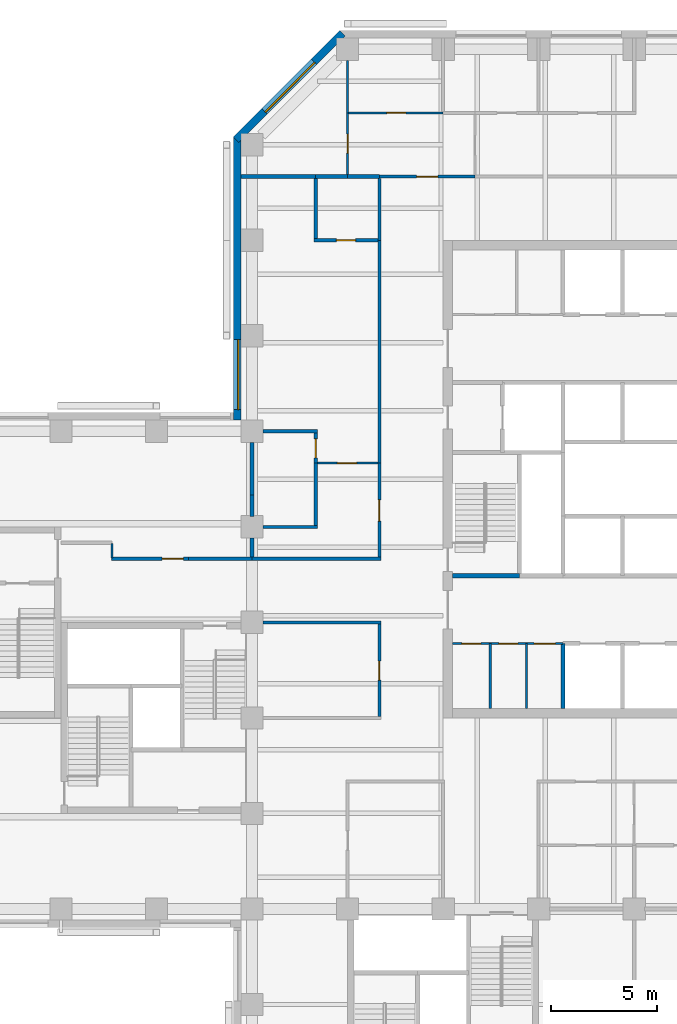
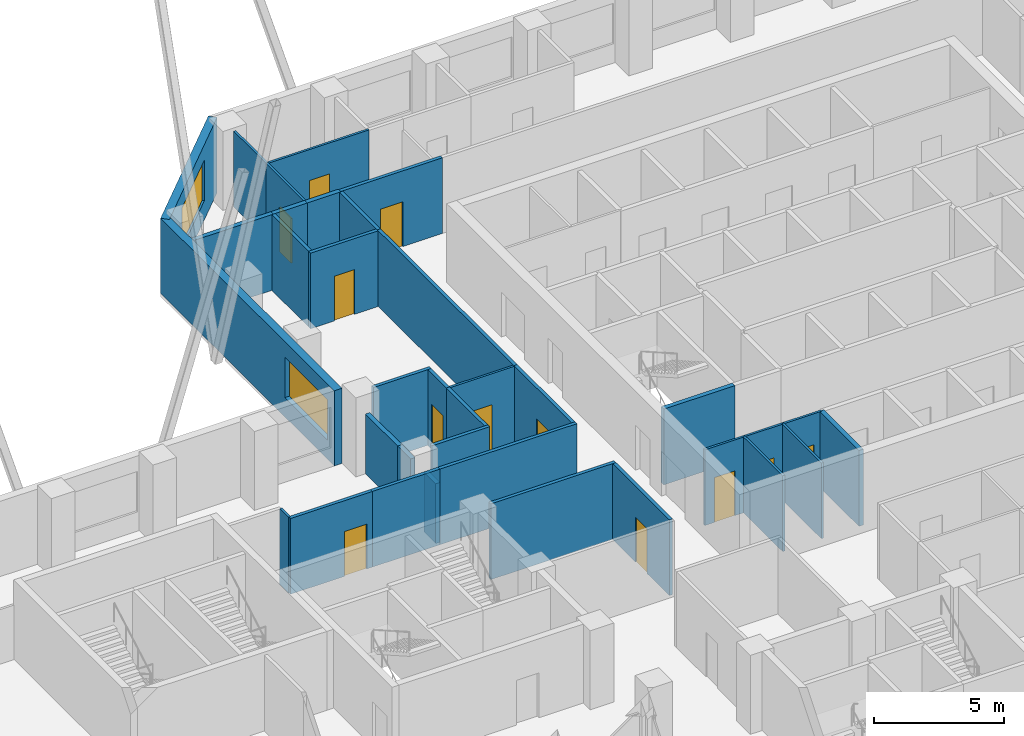
# One storey, part 6 of 11: 33 walls, 12 doors, 2 windows, 14 openings.
"""IFC4 building model written with IfcOpenShell, lengths in metres."""

from ifc_helpers import new_model, si_unit, direction, frame, frame_2d, origin, place, context, subcontext, project, spatial, rectangle, extrude, material, layer, layer_set, constituent, constituent_set, type_object, element, fill, save


model = new_model("IFC4")

# Units and contexts
model_context = context("Model", 3, precision=1e-05, world=origin(), true_north=direction((0.0, 1.0)))
body_context = subcontext(model_context, "Body", "Model", "MODEL_VIEW")
ifc_project = project(units=[si_unit("LENGTHUNIT", "METRE"), si_unit("AREAUNIT", "SQUARE_METRE"), si_unit("VOLUMEUNIT", "CUBIC_METRE"), si_unit("PLANEANGLEUNIT", "RADIAN"), si_unit("MASSUNIT", "GRAM", prefix="KILO")], contexts=[model_context])

# Site, building, storey
site_placement = place(None, origin())
site = spatial("IfcSite", under=ifc_project, at=site_placement, CompositionType="ELEMENT")
building_placement = place(site_placement, origin())
building = spatial("IfcBuilding", under=site, at=building_placement, Name="Quoin Convention Tower", CompositionType="ELEMENT")
storey_placement = place(building_placement, frame((0.0, 0.0, 82.60009765625)))
storey = spatial("IfcBuildingStorey", under=building, at=storey_placement, Name="L21", CompositionType="ELEMENT", Elevation=82.60009765625)

# Walls
ifc_material_1 = material(Name="Plasterboard")
ifc_layer_1 = layer(ifc_material_1, 0.012451171875, Name="Finish")
ifc_material_2 = material(Name="Steel stud framing", Category="steel")
ifc_layer_2 = layer(ifc_material_2, 0.125, Name="Structure")
ifc_layer_3 = layer(ifc_material_1, 0.012451171875, Name="Finish")
ifc_layer_set_1 = layer_set([ifc_layer_1, ifc_layer_2, ifc_layer_3], Name="Steel stud framing")
wall_type_1 = type_object("IfcWallType", Name="Acoustic partition 150", PredefinedType="PARTITIONING", material=ifc_layer_set_1)
for number, where, z_axis, x_axis, name in (
    (1, (36.52490234375, 58.5, 0.0), (0.0, 0.0, 1.0), (1.0, 0.0, 0.0), "pw-L21-041"),
    (2, (36.52490234375, 63.0, 0.0), (0.0, 0.0, 1.0), (1.0, 0.0, 0.0), "pw-L21-048"),
):
    element("IfcWall", number, at=place(storey_placement, frame(where, z_axis=z_axis, x_axis=x_axis)), inside=storey, type_object=wall_type_1, Name=name, PredefinedType="PARTITIONING", context=body_context, shape_type="SweptSolid", body=[
        extrude(rectangle(XDim=2.550048828125, YDim=0.14990234375, at=frame_2d((1.27490234375, 0.0))), origin(), (0.0, 0.0, 1.0), 3.5498046875),
    ])
wall_1_placement = place(storey_placement, frame((39.0, 58.574951171875, 0.0), z_axis=(0.0, 0.0, 1.0), x_axis=(0.0, 1.0, 0.0)))
element("IfcWall", 3, at=wall_1_placement, inside=storey, type_object=wall_type_1, Name="pw-L21-100", PredefinedType="PARTITIONING", context=body_context, shape_type="SweptSolid", body=[
    extrude(rectangle(XDim=2.925048828125, YDim=0.14990234375, at=frame_2d((1.46240234375, 0.0))), origin(), (0.0, 0.0, 1.0), 3.5498046875),
])

# Wall, opening, door
wall_2_placement = place(storey_placement, frame((39.0, 61.5, 0.0), z_axis=(0.0, 0.0, 1.0), x_axis=(0.0, 1.0, 0.0)))
wall_2 = element("IfcWall", 4, at=wall_2_placement, inside=storey, type_object=wall_type_1, Name="pw-L21-107", PredefinedType="PARTITIONING", context=body_context, shape_type="SweptSolid", body=[
    extrude(rectangle(XDim=1.425048828125, YDim=0.14990234375, at=frame_2d((0.71240234375, 0.0))), origin(), (0.0, 0.0, 1.0), 3.5498046875),
])
opening_1_placement = place(wall_2_placement, frame((0.25, 0.0, 0.0)))
opening_1 = element("IfcOpeningElement", 5, at=opening_1_placement, cuts=wall_2, Name="Opening DOL1-31", PredefinedType="OPENING", context=body_context, shape_type="SweptSolid", body=[
    extrude(rectangle(XDim=0.89990234375, YDim=2.10009765625, at=frame_2d((0.449951171875, 1.050048828125))), frame((0.0, 0.0849609375, 0.0), z_axis=(0.0, -1.0, 0.0), x_axis=(1.0, 0.0, 0.0)), (0.0, 0.0, 1.0), 0.169921875),
])
ifc_material_3 = material(Name="Steel door leaf", Category="steel")
door_type_1 = type_object("IfcDoorType", Name="Office door 900 x 2100", OperationType="SINGLE_SWING_RIGHT", PredefinedType="DOOR", material=ifc_material_3)
door_1_placement = place(opening_1_placement, frame((0.89990234375, 0.0, 0.0), z_axis=(0.0, 0.0, 1.0), x_axis=(-1.0, 0.0, 0.0)))
door_1 = element("IfcDoor", 6, at=door_1_placement, inside=storey, type_object=door_type_1, Name="dr-L21-43", OperationType="SINGLE_SWING_RIGHT", OverallHeight=2.10009765625, OverallWidth=0.89990234375, PredefinedType="DOOR", context=body_context, shape_type="SweptSolid", body=[
    extrude(rectangle(XDim=0.89990234375, YDim=2.10009765625, at=frame_2d((0.449951171875, 1.050048828125))), frame((0.0, 0.02490234375, 0.0), z_axis=(0.0, -1.0, 0.0), x_axis=(1.0, 0.0, 0.0)), (0.0, 0.0, 1.0), 0.050048828125),
])
fill(opening_1, door_1)

# Wall, opening, window
ifc_material_4 = material(Name="Brick masonry", Category="masonry")
ifc_layer_4 = layer(ifc_material_4, 0.35009765625)
ifc_layer_set_2 = layer_set([ifc_layer_4], Name="Brick masonry")
wall_type_2 = type_object("IfcWallType", Name="Brick facade wall", PredefinedType="STANDARD", material=ifc_layer_set_2)
wall_3_placement = place(storey_placement, frame((40.26123046875, 81.751220703125, 0.0), z_axis=(0.0, 0.0, 1.0), x_axis=(-0.707106781187, -0.707106781187, 0.0)))
wall_3 = element("IfcWall", 7, at=wall_3_placement, inside=storey, type_object=wall_type_2, Name="fw-L21-40500_81000", PredefinedType="STANDARD", context=body_context, shape_type="SweptSolid", body=[
    extrude(rectangle(XDim=7.088623046875, YDim=0.35009765625, at=frame_2d((3.54443359375, 0.0))), origin(), (0.0, 0.0, 1.0), 3.52490234375),
])
opening_2_placement = place(wall_3_placement, frame((1.894287109375, 0.0, 0.89990234375)))
opening_2 = element("IfcOpeningElement", 8, at=opening_2_placement, cuts=wall_3, Name="Opening W-02", PredefinedType="OPENING", context=body_context, shape_type="SweptSolid", body=[
    extrude(rectangle(XDim=3.300048828125, YDim=1.89990234375, at=frame_2d((1.64990234375, 0.949951171875))), frame((0.0, 0.18505859375, 0.0), z_axis=(0.0, -1.0, 0.0), x_axis=(1.0, 0.0, 0.0)), (0.0, 0.0, 1.0), 0.3701171875),
])
ifc_material_5 = material(Name="Aluminium", Category="aluminium")
ifc_constituent_1 = constituent(ifc_material_5, Name="Frame")
ifc_material_6 = material(Name="Insulated glass", Category="glass")
ifc_constituent_2 = constituent(ifc_material_6, Name="Glazing")
ifc_constituent_set = constituent_set(constituents=[ifc_constituent_1, ifc_constituent_2], Name="Aluminium")
window_type = type_object("IfcWindowType", Name="Office window", PartitioningType="DOUBLE_PANEL_VERTICAL", PredefinedType="WINDOW", material=ifc_constituent_set)
window_1_placement = place(opening_2_placement, origin())
window_1 = element("IfcWindow", 9, at=window_1_placement, inside=storey, type_object=window_type, Name="win-L21-37755_79245", OverallHeight=1.89990234375, OverallWidth=3.300048828125, PartitioningType="SINGLE_PANEL", PredefinedType="WINDOW", context=body_context, shape_type="SweptSolid", body=[
    extrude(rectangle(XDim=3.300048828125, YDim=1.89990234375, at=frame_2d((1.64990234375, 0.949951171875))), frame((0.0, 0.0849609375, 0.0), z_axis=(0.0, -1.0, 0.0), x_axis=(1.0, 0.0, 0.0)), (0.0, 0.0, 1.0), 0.06005859375),
])
fill(opening_2, window_1)

wall_4_placement = place(storey_placement, frame((35.300048828125, 76.8623046875, 0.0), z_axis=(0.0, 0.0, 1.0), x_axis=(0.0, -1.0, 0.0)))
wall_4 = element("IfcWall", 10, at=wall_4_placement, inside=storey, type_object=wall_type_2, Name="fw-L21-36000_76500", PredefinedType="STANDARD", context=body_context, shape_type="SweptSolid", body=[
    extrude(rectangle(XDim=13.33740234375, YDim=0.35009765625, at=frame_2d((6.668701171875, 0.0))), origin(), (0.0, 0.0, 1.0), 3.52490234375),
])
opening_3_placement = place(wall_4_placement, frame((9.537353515625, 0.0, 0.89990234375)))
opening_3 = element("IfcOpeningElement", 11, at=opening_3_placement, cuts=wall_4, Name="Opening W-02", PredefinedType="OPENING", context=body_context, shape_type="SweptSolid", body=[
    extrude(rectangle(XDim=3.300048828125, YDim=1.89990234375, at=frame_2d((1.64990234375, 0.949951171875))), frame((0.0, 0.18505859375, 0.0), z_axis=(0.0, -1.0, 0.0), x_axis=(1.0, 0.0, 0.0)), (0.0, 0.0, 1.0), 0.3701171875),
])
window_2_placement = place(opening_3_placement, origin())
window_2 = element("IfcWindow", 12, at=window_2_placement, inside=storey, type_object=window_type, Name="win-L21-35300_65250", OverallHeight=1.89990234375, OverallWidth=3.300048828125, PartitioningType="SINGLE_PANEL", PredefinedType="WINDOW", context=body_context, shape_type="SweptSolid", body=[
    extrude(rectangle(XDim=3.300048828125, YDim=1.89990234375, at=frame_2d((1.64990234375, 0.949951171875))), frame((0.0, 0.0849609375, 0.0), z_axis=(0.0, -1.0, 0.0), x_axis=(1.0, 0.0, 0.0)), (0.0, 0.0, 1.0), 0.06005859375),
])
fill(opening_3, window_2)

# Wall, openings, doors
ifc_layer_5 = layer(ifc_material_1, 0.012451171875, Name="Finish")
ifc_layer_6 = layer(ifc_material_2, 0.074951171875, Name="Structure")
ifc_layer_7 = layer(ifc_material_1, 0.012451171875, Name="Finish")
ifc_layer_set_3 = layer_set([ifc_layer_5, ifc_layer_6, ifc_layer_7], Name="Steel stud framing")
wall_type_3 = type_object("IfcWallType", Name="Core partition wall", PredefinedType="PARTITIONING", material=ifc_layer_set_3)
wall_5_placement = place(storey_placement, frame((45.449951171875, 53.0, 0.0), z_axis=(0.0, 0.0, 1.0), x_axis=(1.0, 0.0, 0.0)))
wall_5 = element("IfcWall", 13, at=wall_5_placement, inside=storey, type_object=wall_type_3, Name="cr-C1-L21-h3500_450", PredefinedType="PARTITIONING", context=body_context, shape_type="SweptSolid", body=[
    extrude(rectangle(XDim=5.199951171875, YDim=0.10009765625, at=frame_2d((2.60009765625, 0.0))), origin(), (0.0, 0.0, 1.0), 3.5498046875),
])
opening_4_placement = place(wall_5_placement, frame((0.43408203125, 0.0, 0.0)))
opening_4 = element("IfcOpeningElement", 14, at=opening_4_placement, cuts=wall_5, Name="Opening DCV1-37", PredefinedType="OPENING", context=body_context, shape_type="SweptSolid", body=[
    extrude(rectangle(XDim=0.89990234375, YDim=2.10009765625, at=frame_2d((0.449951171875, 1.050048828125))), frame((0.0, 0.06005859375, 0.0), z_axis=(0.0, -1.0, 0.0), x_axis=(1.0, 0.0, 0.0)), (0.0, 0.0, 1.0), 0.1201171875),
])
opening_5_placement = place(wall_5_placement, frame((2.176025390625, 0.0, 0.0)))
opening_5 = element("IfcOpeningElement", 15, at=opening_5_placement, cuts=wall_5, Name="Opening DCV1-38", PredefinedType="OPENING", context=body_context, shape_type="SweptSolid", body=[
    extrude(rectangle(XDim=0.89990234375, YDim=2.10009765625, at=frame_2d((0.449951171875, 1.050048828125))), frame((0.0, 0.06005859375, 0.0), z_axis=(0.0, -1.0, 0.0), x_axis=(1.0, 0.0, 0.0)), (0.0, 0.0, 1.0), 0.1201171875),
])
opening_6_placement = place(wall_5_placement, frame((3.842041015625, 0.0, 0.0)))
opening_6 = element("IfcOpeningElement", 16, at=opening_6_placement, cuts=wall_5, Name="Opening DCV1-39", PredefinedType="OPENING", context=body_context, shape_type="SweptSolid", body=[
    extrude(rectangle(XDim=1.0, YDim=2.10009765625, at=frame_2d((0.5, 1.050048828125))), frame((0.0, 0.06005859375, 0.0), z_axis=(0.0, -1.0, 0.0), x_axis=(1.0, 0.0, 0.0)), (0.0, 0.0, 1.0), 0.1201171875),
])
door_type_2 = type_object("IfcDoorType", Name="Core room door 1000 x 2100", OperationType="SINGLE_SWING_LEFT", PredefinedType="DOOR", material=ifc_material_3)
door_2_placement = place(opening_6_placement, frame((1.0, 0.0, 0.0), z_axis=(0.0, 0.0, 1.0), x_axis=(-1.0, 0.0, 0.0)))
door_2 = element("IfcDoor", 17, at=door_2_placement, inside=storey, type_object=door_type_2, Name="cd-C1-L21-CSW2-lobA-CD2114", OperationType="SINGLE_SWING_LEFT", OverallHeight=2.10009765625, OverallWidth=1.0, PredefinedType="DOOR", context=body_context, shape_type="SweptSolid", body=[
    extrude(rectangle(XDim=1.0, YDim=2.10009765625, at=frame_2d((0.5, 1.050048828125))), frame((0.0, 0.02490234375, 0.0), z_axis=(0.0, -1.0, 0.0), x_axis=(1.0, 0.0, 0.0)), (0.0, 0.0, 1.0), 0.050048828125),
])
fill(opening_6, door_2)
door_type_3 = type_object("IfcDoorType", Name="Core room door 900 x 2100", OperationType="SINGLE_SWING_LEFT", PredefinedType="DOOR", material=ifc_material_3)
door_3_placement = place(opening_4_placement, frame((0.89990234375, 0.0, 0.0), z_axis=(0.0, 0.0, 1.0), x_axis=(-1.0, 0.0, 0.0)))
door_3 = element("IfcDoor", 18, at=door_3_placement, inside=storey, type_object=door_type_3, Name="cd-C1-L21-CSW0-lobA-CD2112", OperationType="SINGLE_SWING_LEFT", OverallHeight=2.10009765625, OverallWidth=0.89990234375, PredefinedType="DOOR", context=body_context, shape_type="SweptSolid", body=[
    extrude(rectangle(XDim=0.89990234375, YDim=2.10009765625, at=frame_2d((0.449951171875, 1.050048828125))), frame((0.0, 0.02490234375, 0.0), z_axis=(0.0, -1.0, 0.0), x_axis=(1.0, 0.0, 0.0)), (0.0, 0.0, 1.0), 0.050048828125),
])
fill(opening_4, door_3)
door_4_placement = place(opening_5_placement, frame((0.89990234375, 0.0, 0.0), z_axis=(0.0, 0.0, 1.0), x_axis=(-1.0, 0.0, 0.0)))
door_4 = element("IfcDoor", 19, at=door_4_placement, inside=storey, type_object=door_type_3, Name="cd-C1-L21-CSW1-lobA-CD2113", OperationType="SINGLE_SWING_LEFT", OverallHeight=2.10009765625, OverallWidth=0.89990234375, PredefinedType="DOOR", context=body_context, shape_type="SweptSolid", body=[
    extrude(rectangle(XDim=0.89990234375, YDim=2.10009765625, at=frame_2d((0.449951171875, 1.050048828125))), frame((0.0, 0.02490234375, 0.0), z_axis=(0.0, -1.0, 0.0), x_axis=(1.0, 0.0, 0.0)), (0.0, 0.0, 1.0), 0.050048828125),
])
fill(opening_5, door_4)

# Walls
for number, where, z_axis, x_axis, name in (
    (20, (47.218017578125, 49.949951171875, 0.0), (0.0, 0.0, 1.0), (0.0, 1.0, 0.0), "cr-C1-L21-v2218_450"),
    (21, (48.93408203125, 49.949951171875, 0.0), (0.0, 0.0, 1.0), (0.0, 1.0, 0.0), "cr-C1-L21-v3934_450"),
):
    element("IfcWall", number, at=place(storey_placement, frame(where, z_axis=z_axis, x_axis=x_axis)), inside=storey, type_object=wall_type_3, Name=name, PredefinedType="PARTITIONING", context=body_context, shape_type="SweptSolid", body=[
        extrude(rectangle(XDim=3.050048828125, YDim=0.10009765625, at=frame_2d((1.52490234375, 0.0))), origin(), (0.0, 0.0, 1.0), 3.5498046875),
    ])
ifc_material_7 = material(Name="Concrete C50", Category="concrete")
ifc_layer_8 = layer(ifc_material_7, 0.199951171875)
ifc_layer_set_4 = layer_set([ifc_layer_8], Name="Concrete C50")
wall_type_4 = type_object("IfcWallType", Name="Core shaft wall", PredefinedType="SOLIDWALL", material=ifc_layer_set_4)
wall_6_placement = place(storey_placement, frame((45.449951171875, 56.199951171875, 0.0), z_axis=(0.0, 0.0, 1.0), x_axis=(1.0, 0.0, 0.0)))
element("IfcWall", 22, at=wall_6_placement, inside=storey, type_object=wall_type_4, Name="cr-C1-L21-h6700_450", PredefinedType="SOLIDWALL", context=body_context, shape_type="SweptSolid", body=[
    extrude(rectangle(XDim=3.150146484375, YDim=0.199951171875, at=frame_2d((1.5751953125, 0.0))), origin(), (0.0, 0.0, 1.0), 3.5498046875),
])
wall_7_placement = place(storey_placement, frame((50.64990234375, 49.949951171875, 0.0), z_axis=(0.0, 0.0, 1.0), x_axis=(0.0, 1.0, 0.0)))
element("IfcWall", 23, at=wall_7_placement, inside=storey, type_object=wall_type_4, Name="cr-C1-L21-v5650_450", PredefinedType="SOLIDWALL", context=body_context, shape_type="SweptSolid", body=[
    extrude(rectangle(XDim=3.050048828125, YDim=0.199951171875, at=frame_2d((1.52490234375, 0.0))), origin(), (0.0, 0.0, 1.0), 3.5498046875),
])
ifc_layer_9 = layer(ifc_material_1, 0.012451171875, Name="Finish")
ifc_layer_10 = layer(ifc_material_2, 0.125, Name="Structure")
ifc_layer_11 = layer(ifc_material_1, 0.012451171875, Name="Finish")
ifc_layer_set_5 = layer_set([ifc_layer_9, ifc_layer_10, ifc_layer_11], Name="Steel stud framing")
wall_type_5 = type_object("IfcWallType", Name="Corridor wall 150", PredefinedType="PARTITIONING", material=ifc_layer_set_5)
wall_8_placement = place(storey_placement, frame((36.52490234375, 54.0, 0.0), z_axis=(0.0, 0.0, 1.0), x_axis=(1.0, 0.0, 0.0)))
element("IfcWall", 24, at=wall_8_placement, inside=storey, type_object=wall_type_5, Name="pw-L21-035", PredefinedType="PARTITIONING", context=body_context, shape_type="SweptSolid", body=[
    extrude(rectangle(XDim=5.550048828125, YDim=0.14990234375, at=frame_2d((2.77490234375, 0.0))), origin(), (0.0, 0.0, 1.0), 3.5498046875),
])

# Wall, opening, door
wall_9_placement = place(storey_placement, frame((29.3798828125, 57.0, 0.0), z_axis=(0.0, 0.0, 1.0), x_axis=(1.0, 0.0, 0.0)))
wall_9 = element("IfcWall", 25, at=wall_9_placement, inside=storey, type_object=wall_type_5, Name="pw-L21-038", PredefinedType="PARTITIONING", context=body_context, shape_type="SweptSolid", body=[
    extrude(rectangle(XDim=3.6201171875, YDim=0.14990234375, at=frame_2d((1.81005859375, 0.0))), origin(), (0.0, 0.0, 1.0), 3.5498046875),
])
opening_7_placement = place(wall_9_placement, frame((2.3798828125, 0.0, 0.0)))
opening_7 = element("IfcOpeningElement", 26, at=opening_7_placement, cuts=wall_9, Name="Opening DOL1-13", PredefinedType="OPENING", context=body_context, shape_type="SweptSolid", body=[
    extrude(rectangle(XDim=1.0, YDim=2.10009765625, at=frame_2d((0.5, 1.050048828125))), frame((0.0, 0.0849609375, 0.0), z_axis=(0.0, -1.0, 0.0), x_axis=(1.0, 0.0, 0.0)), (0.0, 0.0, 1.0), 0.169921875),
])
door_type_4 = type_object("IfcDoorType", Name="Tenancy entrance door 1000 x 2100", OperationType="DOUBLE_DOOR_SINGLE_SWING", PredefinedType="DOOR", material=ifc_material_3)
door_5_placement = place(opening_7_placement, origin())
door_5 = element("IfcDoor", 27, at=door_5_placement, inside=storey, type_object=door_type_4, Name="dr-L21-w01", OperationType="DOUBLE_DOOR_SINGLE_SWING", OverallHeight=2.10009765625, OverallWidth=1.0, PredefinedType="DOOR", context=body_context, shape_type="SweptSolid", body=[
    extrude(rectangle(XDim=1.0, YDim=2.10009765625, at=frame_2d((0.5, 1.050048828125))), frame((0.0, 0.02490234375, 0.0), z_axis=(0.0, -1.0, 0.0), x_axis=(1.0, 0.0, 0.0)), (0.0, 0.0, 1.0), 0.050048828125),
])
fill(opening_7, door_5)

# Walls
wall_10_placement = place(storey_placement, frame((33.0, 57.0, 0.0), z_axis=(0.0, 0.0, 1.0), x_axis=(1.0, 0.0, 0.0)))
element("IfcWall", 28, at=wall_10_placement, inside=storey, type_object=wall_type_5, Name="pw-L21-039", PredefinedType="PARTITIONING", context=body_context, shape_type="SweptSolid", body=[
    extrude(rectangle(XDim=3.0, YDim=0.14990234375, at=frame_2d((1.5, 0.0))), origin(), (0.0, 0.0, 1.0), 3.5498046875),
])
wall_11_placement = place(storey_placement, frame((36.0, 57.0, 0.0), z_axis=(0.0, 0.0, 1.0), x_axis=(1.0, 0.0, 0.0)))
element("IfcWall", 29, at=wall_11_placement, inside=storey, type_object=wall_type_5, Name="pw-L21-040", PredefinedType="PARTITIONING", context=body_context, shape_type="SweptSolid", body=[
    extrude(rectangle(XDim=6.074951171875, YDim=0.14990234375, at=frame_2d((3.03759765625, 0.0))), origin(), (0.0, 0.0, 1.0), 3.5498046875),
])

# Wall, opening, door
wall_12_placement = place(storey_placement, frame((42.0, 75.0, 0.0), z_axis=(0.0, 0.0, 1.0), x_axis=(1.0, 0.0, 0.0)))
wall_12 = element("IfcWall", 30, at=wall_12_placement, inside=storey, type_object=wall_type_5, Name="pw-L21-054", PredefinedType="PARTITIONING", context=body_context, shape_type="SweptSolid", body=[
    extrude(rectangle(XDim=4.5, YDim=0.14990234375, at=frame_2d((2.25, 0.0))), origin(), (0.0, 0.0, 1.0), 3.5498046875),
])
opening_8_placement = place(wall_12_placement, frame((1.75, 0.0, 0.0)))
opening_8 = element("IfcOpeningElement", 31, at=opening_8_placement, cuts=wall_12, Name="Opening DOL1-18", PredefinedType="OPENING", context=body_context, shape_type="SweptSolid", body=[
    extrude(rectangle(XDim=1.0, YDim=2.10009765625, at=frame_2d((0.5, 1.050048828125))), frame((0.0, 0.0849609375, 0.0), z_axis=(0.0, -1.0, 0.0), x_axis=(1.0, 0.0, 0.0)), (0.0, 0.0, 1.0), 0.169921875),
])
door_6_placement = place(opening_8_placement, origin())
door_6 = element("IfcDoor", 32, at=door_6_placement, inside=storey, type_object=door_type_4, Name="dr-L21-33", OperationType="DOUBLE_DOOR_SINGLE_SWING", OverallHeight=2.10009765625, OverallWidth=1.0, PredefinedType="DOOR", context=body_context, shape_type="SweptSolid", body=[
    extrude(rectangle(XDim=1.0, YDim=2.10009765625, at=frame_2d((0.5, 1.050048828125))), frame((0.0, 0.02490234375, 0.0), z_axis=(0.0, -1.0, 0.0), x_axis=(1.0, 0.0, 0.0)), (0.0, 0.0, 1.0), 0.050048828125),
])
fill(opening_8, door_6)

wall_13_placement = place(storey_placement, frame((42.0, 49.574951171875, 0.0), z_axis=(0.0, 0.0, 1.0), x_axis=(0.0, 1.0, 0.0)))
wall_13 = element("IfcWall", 33, at=wall_13_placement, inside=storey, type_object=wall_type_5, Name="pw-L21-090", PredefinedType="PARTITIONING", context=body_context, shape_type="SweptSolid", body=[
    extrude(rectangle(XDim=4.35009765625, YDim=0.14990234375, at=frame_2d((2.175048828125, 0.0))), origin(), (0.0, 0.0, 1.0), 3.5498046875),
])
opening_9_placement = place(wall_13_placement, frame((1.699951171875, 0.0, 0.0)))
opening_9 = element("IfcOpeningElement", 34, at=opening_9_placement, cuts=wall_13, Name="Opening DOL1-28", PredefinedType="OPENING", context=body_context, shape_type="SweptSolid", body=[
    extrude(rectangle(XDim=0.89990234375, YDim=2.10009765625, at=frame_2d((0.449951171875, 1.050048828125))), frame((0.0, 0.0849609375, 0.0), z_axis=(0.0, -1.0, 0.0), x_axis=(1.0, 0.0, 0.0)), (0.0, 0.0, 1.0), 0.169921875),
])
door_7_placement = place(opening_9_placement, origin())
door_7 = element("IfcDoor", 35, at=door_7_placement, inside=storey, type_object=door_type_1, Name="dr-L21-01", OperationType="SINGLE_SWING_RIGHT", OverallHeight=2.10009765625, OverallWidth=0.89990234375, PredefinedType="DOOR", context=body_context, shape_type="SweptSolid", body=[
    extrude(rectangle(XDim=0.89990234375, YDim=2.10009765625, at=frame_2d((0.449951171875, 1.050048828125))), frame((0.0, 0.02490234375, 0.0), z_axis=(0.0, -1.0, 0.0), x_axis=(1.0, 0.0, 0.0)), (0.0, 0.0, 1.0), 0.050048828125),
])
fill(opening_9, door_7)

wall_14_placement = place(storey_placement, frame((42.0, 57.074951171875, 0.0), z_axis=(0.0, 0.0, 1.0), x_axis=(0.0, 1.0, 0.0)))
wall_14 = element("IfcWall", 36, at=wall_14_placement, inside=storey, type_object=wall_type_5, Name="pw-L21-099", PredefinedType="PARTITIONING", context=body_context, shape_type="SweptSolid", body=[
    extrude(rectangle(XDim=4.425048828125, YDim=0.14990234375, at=frame_2d((2.21240234375, 0.0))), origin(), (0.0, 0.0, 1.0), 3.5498046875),
])
opening_10_placement = place(wall_14_placement, frame((1.699951171875, 0.0, 0.0)))
opening_10 = element("IfcOpeningElement", 37, at=opening_10_placement, cuts=wall_14, Name="Opening DOL1-30", PredefinedType="OPENING", context=body_context, shape_type="SweptSolid", body=[
    extrude(rectangle(XDim=1.0, YDim=2.10009765625, at=frame_2d((0.5, 1.050048828125))), frame((0.0, 0.0849609375, 0.0), z_axis=(0.0, -1.0, 0.0), x_axis=(1.0, 0.0, 0.0)), (0.0, 0.0, 1.0), 0.169921875),
])
door_8_placement = place(opening_10_placement, origin())
door_8 = element("IfcDoor", 38, at=door_8_placement, inside=storey, type_object=door_type_4, Name="dr-L21-40", OperationType="DOUBLE_DOOR_SINGLE_SWING", OverallHeight=2.10009765625, OverallWidth=1.0, PredefinedType="DOOR", context=body_context, shape_type="SweptSolid", body=[
    extrude(rectangle(XDim=1.0, YDim=2.10009765625, at=frame_2d((0.5, 1.050048828125))), frame((0.0, 0.02490234375, 0.0), z_axis=(0.0, -1.0, 0.0), x_axis=(1.0, 0.0, 0.0)), (0.0, 0.0, 1.0), 0.050048828125),
])
fill(opening_10, door_8)

# Walls
wall_15_placement = place(storey_placement, frame((42.0, 61.5, 0.0), z_axis=(0.0, 0.0, 1.0), x_axis=(0.0, 1.0, 0.0)))
element("IfcWall", 39, at=wall_15_placement, inside=storey, type_object=wall_type_5, Name="pw-L21-108", PredefinedType="PARTITIONING", context=body_context, shape_type="SweptSolid", body=[
    extrude(rectangle(XDim=10.5, YDim=0.14990234375, at=frame_2d((5.25, 0.0))), origin(), (0.0, 0.0, 1.0), 3.5498046875),
])
wall_16_placement = place(storey_placement, frame((42.0, 72.0, 0.0), z_axis=(0.0, 0.0, 1.0), x_axis=(0.0, 1.0, 0.0)))
element("IfcWall", 40, at=wall_16_placement, inside=storey, type_object=wall_type_5, Name="pw-L21-109", PredefinedType="PARTITIONING", context=body_context, shape_type="SweptSolid", body=[
    extrude(rectangle(XDim=2.89990234375, YDim=0.14990234375, at=frame_2d((1.449951171875, 0.0))), origin(), (0.0, 0.0, 1.0), 3.5498046875),
])

# Wall, opening, door
ifc_layer_12 = layer(ifc_material_1, 0.012451171875, Name="Finish")
ifc_layer_13 = layer(ifc_material_2, 0.074951171875, Name="Structure")
ifc_layer_14 = layer(ifc_material_1, 0.012451171875, Name="Finish")
ifc_layer_set_6 = layer_set([ifc_layer_12, ifc_layer_13, ifc_layer_14], Name="Steel stud framing")
wall_type_6 = type_object("IfcWallType", Name="Stud partition 100", PredefinedType="PARTITIONING", material=ifc_layer_set_6)
wall_17_placement = place(storey_placement, frame((39.074951171875, 61.5, 0.0), z_axis=(0.0, 0.0, 1.0), x_axis=(1.0, 0.0, 0.0)))
wall_17 = element("IfcWall", 41, at=wall_17_placement, inside=storey, type_object=wall_type_6, Name="pw-L21-047", PredefinedType="PARTITIONING", context=body_context, shape_type="SweptSolid", body=[
    extrude(rectangle(XDim=2.85009765625, YDim=0.10009765625, at=frame_2d((1.425048828125, 0.0))), origin(), (0.0, 0.0, 1.0), 3.5498046875),
])
opening_11_placement = place(wall_17_placement, frame((0.949951171875, 0.0, 0.0)))
opening_11 = element("IfcOpeningElement", 42, at=opening_11_placement, cuts=wall_17, Name="Opening DOL1-15", PredefinedType="OPENING", context=body_context, shape_type="SweptSolid", body=[
    extrude(rectangle(XDim=0.89990234375, YDim=2.10009765625, at=frame_2d((0.449951171875, 1.050048828125))), frame((0.0, 0.06005859375, 0.0), z_axis=(0.0, -1.0, 0.0), x_axis=(1.0, 0.0, 0.0)), (0.0, 0.0, 1.0), 0.1201171875),
])
door_9_placement = place(opening_11_placement, origin())
door_9 = element("IfcDoor", 43, at=door_9_placement, inside=storey, type_object=door_type_1, Name="dr-L21-41", OperationType="SINGLE_SWING_RIGHT", OverallHeight=2.10009765625, OverallWidth=0.89990234375, PredefinedType="DOOR", context=body_context, shape_type="SweptSolid", body=[
    extrude(rectangle(XDim=0.89990234375, YDim=2.10009765625, at=frame_2d((0.449951171875, 1.050048828125))), frame((0.0, 0.02490234375, 0.0), z_axis=(0.0, -1.0, 0.0), x_axis=(1.0, 0.0, 0.0)), (0.0, 0.0, 1.0), 0.050048828125),
])
fill(opening_11, door_9)

wall_18_placement = place(storey_placement, frame((40.550048828125, 78.0, 0.0), z_axis=(0.0, 0.0, 1.0), x_axis=(1.0, 0.0, 0.0)))
wall_18 = element("IfcWall", 44, at=wall_18_placement, inside=storey, type_object=wall_type_6, Name="pw-L21-058", PredefinedType="PARTITIONING", context=body_context, shape_type="SweptSolid", body=[
    extrude(rectangle(XDim=4.449951171875, YDim=0.10009765625, at=frame_2d((2.22509765625, 0.0))), origin(), (0.0, 0.0, 1.0), 3.5498046875),
])
opening_12_placement = place(wall_18_placement, frame((1.800048828125, 0.0, 0.0)))
opening_12 = element("IfcOpeningElement", 45, at=opening_12_placement, cuts=wall_18, Name="Opening DOL1-19", PredefinedType="OPENING", context=body_context, shape_type="SweptSolid", body=[
    extrude(rectangle(XDim=0.89990234375, YDim=2.10009765625, at=frame_2d((0.449951171875, 1.050048828125))), frame((0.0, 0.06005859375, 0.0), z_axis=(0.0, -1.0, 0.0), x_axis=(1.0, 0.0, 0.0)), (0.0, 0.0, 1.0), 0.1201171875),
])
door_10_placement = place(opening_12_placement, frame((0.89990234375, 0.0, 0.0), z_axis=(0.0, 0.0, 1.0), x_axis=(-1.0, 0.0, 0.0)))
door_10 = element("IfcDoor", 46, at=door_10_placement, inside=storey, type_object=door_type_1, Name="dr-L21-36", OperationType="SINGLE_SWING_LEFT", OverallHeight=2.10009765625, OverallWidth=0.89990234375, PredefinedType="DOOR", context=body_context, shape_type="SweptSolid", body=[
    extrude(rectangle(XDim=0.89990234375, YDim=2.10009765625, at=frame_2d((0.449951171875, 1.050048828125))), frame((0.0, 0.02490234375, 0.0), z_axis=(0.0, -1.0, 0.0), x_axis=(1.0, 0.0, 0.0)), (0.0, 0.0, 1.0), 0.050048828125),
])
fill(opening_12, door_10)

wall_19_placement = place(storey_placement, frame((40.5, 75.10009765625, 0.0), z_axis=(0.0, 0.0, 1.0), x_axis=(0.0, 1.0, 0.0)))
wall_19 = element("IfcWall", 47, at=wall_19_placement, inside=storey, type_object=wall_type_6, Name="pw-L21-115", PredefinedType="PARTITIONING", context=body_context, shape_type="SweptSolid", body=[
    extrude(rectangle(XDim=2.89990234375, YDim=0.10009765625, at=frame_2d((1.449951171875, 0.0))), origin(), (0.0, 0.0, 1.0), 3.5498046875),
])
opening_13_placement = place(wall_19_placement, frame((1.0, 0.0, 0.0)))
opening_13 = element("IfcOpeningElement", 48, at=opening_13_placement, cuts=wall_19, Name="Opening DOL1-34", PredefinedType="OPENING", context=body_context, shape_type="SweptSolid", body=[
    extrude(rectangle(XDim=0.89990234375, YDim=2.10009765625, at=frame_2d((0.449951171875, 1.050048828125))), frame((0.0, 0.06005859375, 0.0), z_axis=(0.0, -1.0, 0.0), x_axis=(1.0, 0.0, 0.0)), (0.0, 0.0, 1.0), 0.1201171875),
])
door_11_placement = place(opening_13_placement, origin())
door_11 = element("IfcDoor", 49, at=door_11_placement, inside=storey, type_object=door_type_1, Name="dr-L21-35", OperationType="SINGLE_SWING_RIGHT", OverallHeight=2.10009765625, OverallWidth=0.89990234375, PredefinedType="DOOR", context=body_context, shape_type="SweptSolid", body=[
    extrude(rectangle(XDim=0.89990234375, YDim=2.10009765625, at=frame_2d((0.449951171875, 1.050048828125))), frame((0.0, 0.02490234375, 0.0), z_axis=(0.0, -1.0, 0.0), x_axis=(1.0, 0.0, 0.0)), (0.0, 0.0, 1.0), 0.050048828125),
])
fill(opening_13, door_11)

# Walls
wall_20_placement = place(storey_placement, frame((40.5, 78.0, 0.0), z_axis=(0.0, 0.0, 1.0), x_axis=(0.0, 1.0, 0.0)))
element("IfcWall", 50, at=wall_20_placement, inside=storey, type_object=wall_type_6, Name="pw-L21-116", PredefinedType="PARTITIONING", context=body_context, shape_type="SweptSolid", body=[
    extrude(rectangle(XDim=2.47509765625, YDim=0.10009765625, at=frame_2d((1.237548828125, 0.0))), origin(), (0.0, 0.0, 1.0), 3.5498046875),
])
wall_21_placement = place(storey_placement, frame((29.39990234375, 57.715087890625, 0.0), z_axis=(0.0, 0.0, 1.0), x_axis=(0.0, -1.0, 0.0)))
element("IfcWall", 51, at=wall_21_placement, inside=storey, type_object=wall_type_6, Name="pw-L21-w04", PredefinedType="PARTITIONING", context=body_context, shape_type="SweptSolid", body=[
    extrude(rectangle(XDim=0.68017578125, YDim=0.10009765625, at=frame_2d((0.340087890625, 0.0))), origin(), (0.0, 0.0, 1.0), 3.5498046875),
])
ifc_layer_15 = layer(ifc_material_1, 0.012451171875, Name="Finish")
ifc_layer_16 = layer(ifc_material_2, 0.175048828125, Name="Structure")
ifc_layer_17 = layer(ifc_material_1, 0.012451171875, Name="Finish")
ifc_layer_set_7 = layer_set([ifc_layer_15, ifc_layer_16, ifc_layer_17], Name="Steel stud framing")
wall_type_7 = type_object("IfcWallType", Name="Tenancy demising wall 200", PredefinedType="PARTITIONING", material=ifc_layer_set_7)
wall_22_placement = place(storey_placement, frame((35.47509765625, 75.0, 0.0), z_axis=(0.0, 0.0, 1.0), x_axis=(1.0, 0.0, 0.0)))
element("IfcWall", 52, at=wall_22_placement, inside=storey, type_object=wall_type_7, Name="pw-L21-051", PredefinedType="PARTITIONING", context=body_context, shape_type="SweptSolid", body=[
    extrude(rectangle(XDim=3.52490234375, YDim=0.199951171875, at=frame_2d((1.762451171875, 0.0))), origin(), (0.0, 0.0, 1.0), 3.5498046875),
])
for number, where, z_axis, x_axis, name in (
    (53, (39.0, 75.0, 0.0), (0.0, 0.0, 1.0), (1.0, 0.0, 0.0), "pw-L21-052"),
    (54, (40.5, 75.0, 0.0), (0.0, 0.0, 1.0), (1.0, 0.0, 0.0), "pw-L21-053"),
):
    element("IfcWall", number, at=place(storey_placement, frame(where, z_axis=z_axis, x_axis=x_axis)), inside=storey, type_object=wall_type_7, Name=name, PredefinedType="PARTITIONING", context=body_context, shape_type="SweptSolid", body=[
        extrude(rectangle(XDim=1.5, YDim=0.199951171875, at=frame_2d((0.75, 0.0))), origin(), (0.0, 0.0, 1.0), 3.5498046875),
    ])
ifc_layer_18 = layer(ifc_material_1, 0.012451171875, Name="Finish")
ifc_layer_19 = layer(ifc_material_2, 0.175048828125, Name="Structure")
ifc_layer_20 = layer(ifc_material_1, 0.012451171875, Name="Finish")
ifc_layer_set_8 = layer_set([ifc_layer_18, ifc_layer_19, ifc_layer_20], Name="Steel stud framing")
wall_type_8 = type_object("IfcWallType", Name="Tenancy demising wall 200 under beam 750", PredefinedType="PARTITIONING", material=ifc_layer_set_8)
wall_23_placement = place(storey_placement, frame((36.0, 57.074951171875, 0.0), z_axis=(0.0, 0.0, 1.0), x_axis=(0.0, 1.0, 0.0)))
element("IfcWall", 55, at=wall_23_placement, inside=storey, type_object=wall_type_8, Name="pw-L21-098", PredefinedType="PARTITIONING", context=body_context, shape_type="SweptSolid", body=[
    extrude(rectangle(XDim=0.900146484375, YDim=0.199951171875, at=frame_2d((0.4501953125, 0.0))), origin(), (0.0, 0.0, 1.0), 2.7998046875),
])
wall_24_placement = place(storey_placement, frame((36.0, 58.9951171875, 0.0), z_axis=(0.0, 0.0, 1.0), x_axis=(0.0, 1.0, 0.0)))
element("IfcWall", 56, at=wall_24_placement, inside=storey, type_object=wall_type_8, Name="pw-L21-101", PredefinedType="PARTITIONING", context=body_context, shape_type="SweptSolid", body=[
    extrude(rectangle(XDim=1.0048828125, YDim=0.199951171875, at=frame_2d((0.50244140625, 0.0))), origin(), (0.0, 0.0, 1.0), 2.7998046875),
])
wall_25_placement = place(storey_placement, frame((36.0, 60.0, 0.0), z_axis=(0.0, 0.0, 1.0), x_axis=(0.0, 1.0, 0.0)))
element("IfcWall", 57, at=wall_25_placement, inside=storey, type_object=wall_type_8, Name="pw-L21-103", PredefinedType="PARTITIONING", context=body_context, shape_type="SweptSolid", body=[
    extrude(rectangle(XDim=2.47509765625, YDim=0.199951171875, at=frame_2d((1.237548828125, 0.0))), origin(), (0.0, 0.0, 1.0), 2.7998046875),
])

# Wall, opening, door
ifc_layer_21 = layer(ifc_material_1, 0.012451171875, Name="Finish")
ifc_layer_22 = layer(ifc_material_2, 0.125, Name="Structure")
ifc_layer_23 = layer(ifc_material_1, 0.012451171875, Name="Finish")
ifc_layer_set_9 = layer_set([ifc_layer_21, ifc_layer_22, ifc_layer_23], Name="Steel stud framing")
wall_type_9 = type_object("IfcWallType", Name="Wet area partition 150", PredefinedType="PARTITIONING", material=ifc_layer_set_9)
wall_26_placement = place(storey_placement, frame((38.925048828125, 72.0, 0.0), z_axis=(0.0, 0.0, 1.0), x_axis=(1.0, 0.0, 0.0)))
wall_26 = element("IfcWall", 58, at=wall_26_placement, inside=storey, type_object=wall_type_9, Name="pw-L21-049", PredefinedType="PARTITIONING", context=body_context, shape_type="SweptSolid", body=[
    extrude(rectangle(XDim=3.0, YDim=0.14990234375, at=frame_2d((1.5, 0.0))), origin(), (0.0, 0.0, 1.0), 3.5498046875),
])
opening_14_placement = place(wall_26_placement, frame((1.050048828125, 0.0, 0.0)))
opening_14 = element("IfcOpeningElement", 59, at=opening_14_placement, cuts=wall_26, Name="Opening DOL1-16", PredefinedType="OPENING", context=body_context, shape_type="SweptSolid", body=[
    extrude(rectangle(XDim=0.89990234375, YDim=2.10009765625, at=frame_2d((0.449951171875, 1.050048828125))), frame((0.0, 0.0849609375, 0.0), z_axis=(0.0, -1.0, 0.0), x_axis=(1.0, 0.0, 0.0)), (0.0, 0.0, 1.0), 0.169921875),
])
door_12_placement = place(opening_14_placement, frame((0.89990234375, 0.0, 0.0), z_axis=(0.0, 0.0, 1.0), x_axis=(-1.0, 0.0, 0.0)))
door_12 = element("IfcDoor", 60, at=door_12_placement, inside=storey, type_object=door_type_1, Name="dr-L21-42", OperationType="SINGLE_SWING_LEFT", OverallHeight=2.10009765625, OverallWidth=0.89990234375, PredefinedType="DOOR", context=body_context, shape_type="SweptSolid", body=[
    extrude(rectangle(XDim=0.89990234375, YDim=2.10009765625, at=frame_2d((0.449951171875, 1.050048828125))), frame((0.0, 0.02490234375, 0.0), z_axis=(0.0, -1.0, 0.0), x_axis=(1.0, 0.0, 0.0)), (0.0, 0.0, 1.0), 0.050048828125),
])
fill(opening_14, door_12)

# Wall
wall_27_placement = place(storey_placement, frame((39.0, 72.074951171875, 0.0), z_axis=(0.0, 0.0, 1.0), x_axis=(0.0, 1.0, 0.0)))
element("IfcWall", 61, at=wall_27_placement, inside=storey, type_object=wall_type_9, Name="pw-L21-111", PredefinedType="PARTITIONING", context=body_context, shape_type="SweptSolid", body=[
    extrude(rectangle(XDim=2.824951171875, YDim=0.14990234375, at=frame_2d((1.41259765625, 0.0))), origin(), (0.0, 0.0, 1.0), 3.5498046875),
])

save(model, "model.ifc")
